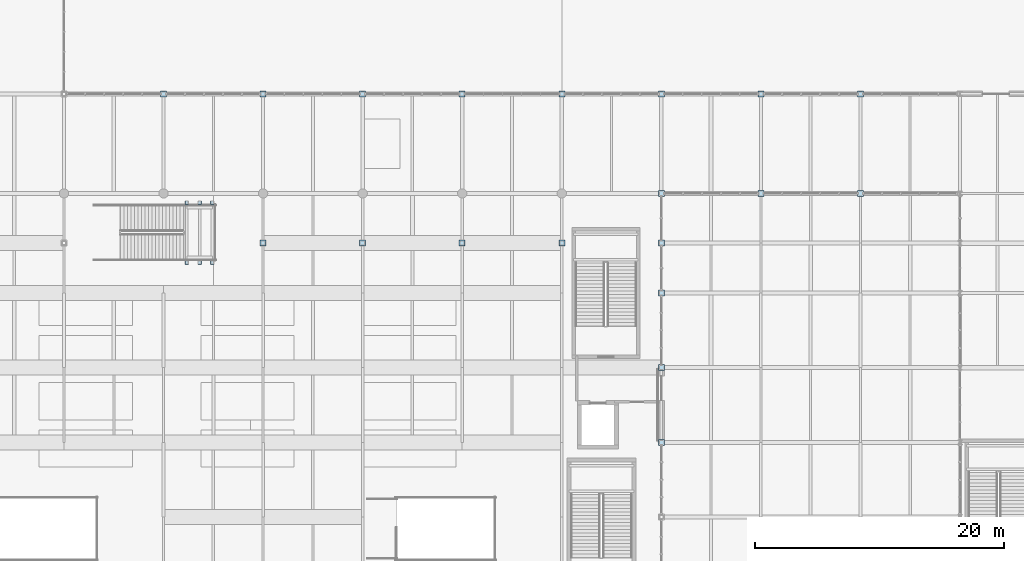
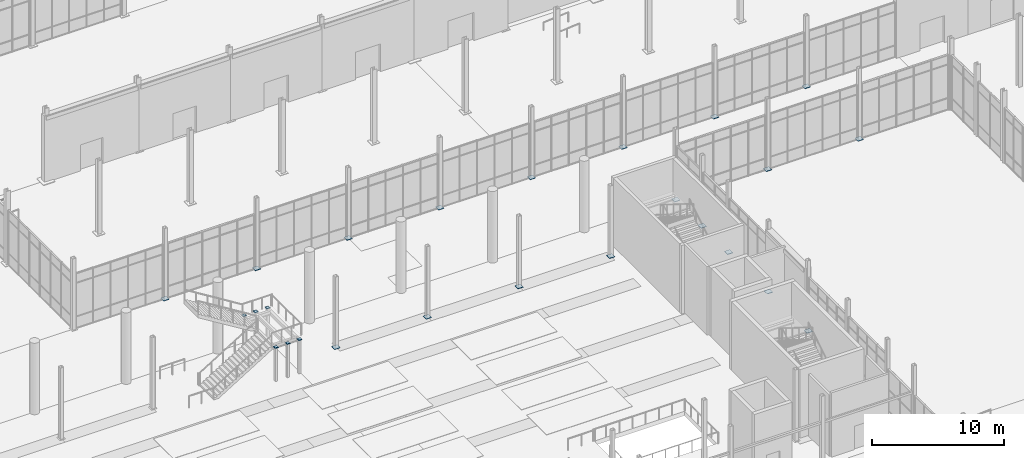
# One storey, part 114 of 140: 25 plates.
"""IFC4 building model written with IfcOpenShell, lengths in metres."""

from ifc_helpers import new_model, si_unit, direction, frame, origin, origin_2d, place, context, subcontext, project, spatial, rectangle, extrude, material, layer, layer_set, type_object, element, save


model = new_model("IFC4")

# Units and contexts
model_context = context("Model", 3, precision=1e-05, world=origin(), true_north=direction((0.0, 1.0)))
body_context = subcontext(model_context, "Body", "Model", "MODEL_VIEW")
ifc_project = project(units=[si_unit("LENGTHUNIT", "METRE"), si_unit("AREAUNIT", "SQUARE_METRE"), si_unit("VOLUMEUNIT", "CUBIC_METRE"), si_unit("PLANEANGLEUNIT", "RADIAN"), si_unit("MASSUNIT", "GRAM", prefix="KILO")], contexts=[model_context])

# Site, building, storey
site_placement = place(None, origin())
site = spatial("IfcSite", under=ifc_project, at=site_placement, CompositionType="ELEMENT")
building_placement = place(site_placement, origin())
building = spatial("IfcBuilding", under=site, at=building_placement, Name="Verrall Gate Interchange", CompositionType="ELEMENT")
storey_placement = place(building_placement, origin())
storey = spatial("IfcBuildingStorey", under=building, at=storey_placement, Name="L01", CompositionType="ELEMENT", Elevation=0.0)

# Plates
ifc_material_1 = material(Name="Structural Steel CSA G40.21 350WT Cat 4", Category="steel")
ifc_layer_1 = layer(ifc_material_1, 0.0400390625)
ifc_layer_set_1 = layer_set([ifc_layer_1], Name="Structural Steel CSA G40.21 350WT Cat 4")
plate_type_1 = type_object("IfcPlateType", Name="BP-01 Base Plate 40", PredefinedType="USERDEFINED", material=ifc_layer_set_1)
for number, where, z_axis, x_axis, name in (
    (1, (68.0, 56.0, -0.02001953125), (0.0, 0.0, 1.0), (1.0, 0.0, 0.0), "L01 Hollow Column Transition Cap Plate 0967"),
    (2, (76.0, 44.0, -0.02001953125), (0.0, 0.0, 1.0), (1.0, 0.0, 0.0), "L01 Hollow Column Transition Cap Plate 0997"),
    (3, (76.0, 56.0, -0.02001953125), (0.0, 0.0, 1.0), (1.0, 0.0, 0.0), "L01 Hollow Column Transition Cap Plate 1005"),
    (4, (84.0, 44.0, -0.02001953125), (0.0, 0.0, 1.0), (1.0, 0.0, 0.0), "L01 Hollow Column Transition Cap Plate 1035"),
    (5, (84.0, 56.0, -0.02001953125), (0.0, 0.0, 1.0), (1.0, 0.0, 0.0), "L01 Hollow Column Transition Cap Plate 1043"),
    (6, (92.0, 44.0, -0.02001953125), (0.0, 0.0, 1.0), (1.0, 0.0, 0.0), "L01 Hollow Column Transition Cap Plate 1071"),
    (7, (92.0, 56.0, -0.02001953125), (0.0, 0.0, 1.0), (1.0, 0.0, 0.0), "L01 Hollow Column Transition Cap Plate 1079"),
    (8, (100.0, 44.0, -0.02001953125), (0.0, 0.0, 1.0), (1.0, 0.0, 0.0), "L01 Hollow Column Transition Cap Plate 1109"),
    (9, (100.0, 56.0, -0.02001953125), (0.0, 0.0, 1.0), (1.0, 0.0, 0.0), "L01 Hollow Column Transition Cap Plate 1117"),
    (10, (108.0, 28.0, -0.02001953125), (0.0, 0.0, 1.0), (1.0, 0.0, 0.0), "L01 Hollow Column Transition Cap Plate 1143"),
    (11, (108.0, 34.0, -0.02001953125), (0.0, 0.0, 1.0), (1.0, 0.0, 0.0), "L01 Hollow Column Transition Cap Plate 1147"),
    (12, (108.0, 40.0, -0.02001953125), (0.0, 0.0, 1.0), (1.0, 0.0, 0.0), "L01 Hollow Column Transition Cap Plate 1151"),
    (13, (108.0, 44.0, -0.02001953125), (0.0, 0.0, 1.0), (1.0, 0.0, 0.0), "L01 Hollow Column Transition Cap Plate 1155"),
    (14, (108.0, 48.0, -0.02001953125), (0.0, 0.0, 1.0), (1.0, 0.0, 0.0), "L01 Hollow Column Transition Cap Plate 1159"),
    (15, (108.0, 56.0, -0.02001953125), (0.0, 0.0, 1.0), (1.0, 0.0, 0.0), "L01 Hollow Column Transition Cap Plate 1163"),
    (16, (116.0, 48.0, -0.02001953125), (0.0, 0.0, 1.0), (1.0, 0.0, 0.0), "L01 Hollow Column Transition Cap Plate 1181"),
    (17, (116.0, 56.0, -0.02001953125), (0.0, 0.0, 1.0), (1.0, 0.0, 0.0), "L01 Hollow Column Transition Cap Plate 1185"),
    (18, (124.0, 48.0, -0.02001953125), (0.0, 0.0, 1.0), (1.0, 0.0, 0.0), "L01 Hollow Column Transition Cap Plate 1203"),
    (19, (124.0, 56.0, -0.02001953125), (0.0, 0.0, 1.0), (1.0, 0.0, 0.0), "L01 Hollow Column Transition Cap Plate 1207"),
):
    element("IfcPlate", number, at=place(storey_placement, frame(where, z_axis=z_axis, x_axis=x_axis)), inside=storey, type_object=plate_type_1, Name=name, ObjectType="BASE_PLATE", PredefinedType="USERDEFINED", context=body_context, shape_type="SweptSolid", body=[
        extrude(rectangle(XDim=0.47998046875, YDim=0.47998046875, at=origin_2d()), origin(), (0.0, 0.0, 1.0), 0.0400390625),
    ])
ifc_material_2 = material(Name="Structural Steel CSA G40.21 350WT Cat 4", Category="steel")
ifc_layer_2 = layer(ifc_material_2, 0.02001953125)
ifc_layer_set_2 = layer_set([ifc_layer_2], Name="Structural Steel CSA G40.21 350WT Cat 4")
plate_type_2 = type_object("IfcPlateType", Name="GP-01 Gusset Plate 20", PredefinedType="SHEET", material=ifc_layer_set_2)
for number, where, z_axis, x_axis, name in (
    (20, (69.8701171875, 42.43994140625, 3.110107421875), (0.0, 0.0, 1.0), (1.0, 0.0, 0.0), "L01 ST-12 Cradle Cap Plate"),
    (21, (69.8701171875, 47.260009765625, 3.110107421875), (0.0, 0.0, 1.0), (1.0, 0.0, 0.0), "L01 ST-12 Cradle Cap Plate"),
    (22, (70.89501953125, 42.43994140625, 3.110107421875), (0.0, 0.0, 1.0), (1.0, 0.0, 0.0), "L01 ST-12 Cradle Cap Plate"),
    (23, (70.89501953125, 47.260009765625, 3.110107421875), (0.0, 0.0, 1.0), (1.0, 0.0, 0.0), "L01 ST-12 Cradle Cap Plate"),
    (24, (71.919921875, 42.43994140625, 3.110107421875), (0.0, 0.0, 1.0), (1.0, 0.0, 0.0), "L01 ST-12 Cradle Cap Plate"),
    (25, (71.919921875, 47.260009765625, 3.110107421875), (0.0, 0.0, 1.0), (1.0, 0.0, 0.0), "L01 ST-12 Cradle Cap Plate"),
):
    element("IfcPlate", number, at=place(storey_placement, frame(where, z_axis=z_axis, x_axis=x_axis)), inside=storey, type_object=plate_type_2, Name=name, PredefinedType="SHEET", context=body_context, shape_type="SweptSolid", body=[
        extrude(rectangle(XDim=0.280029296875, YDim=0.280029296875, at=origin_2d()), origin(), (0.0, 0.0, 1.0), 0.02001953125),
    ])

save(model, "model.ifc")
